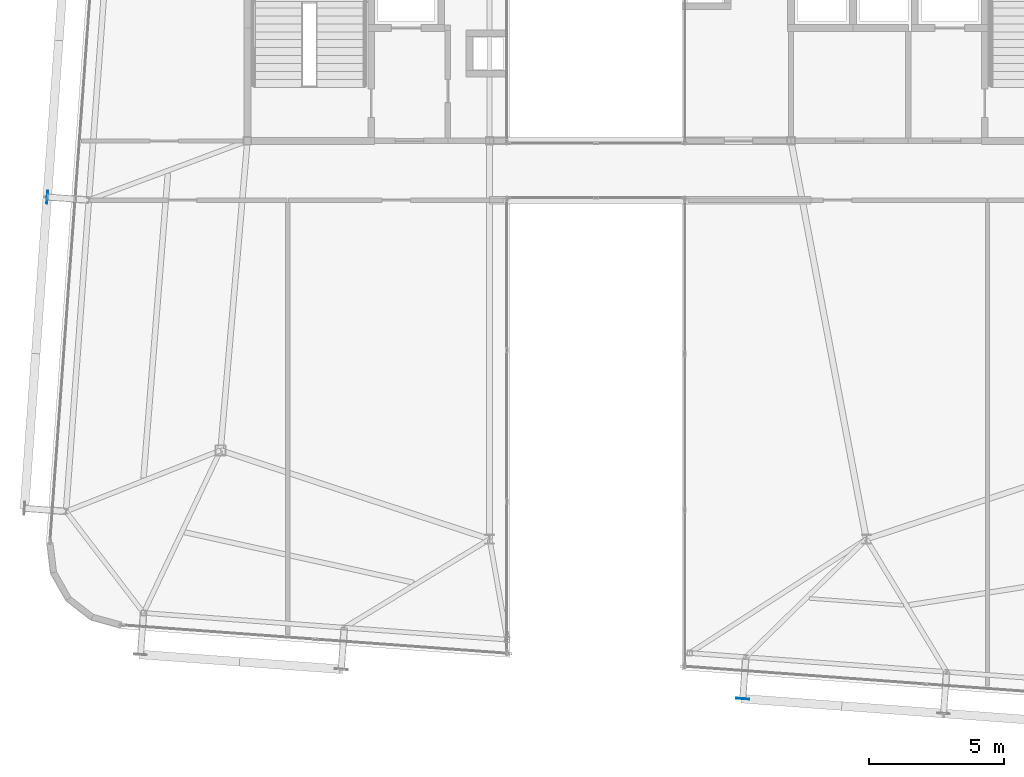
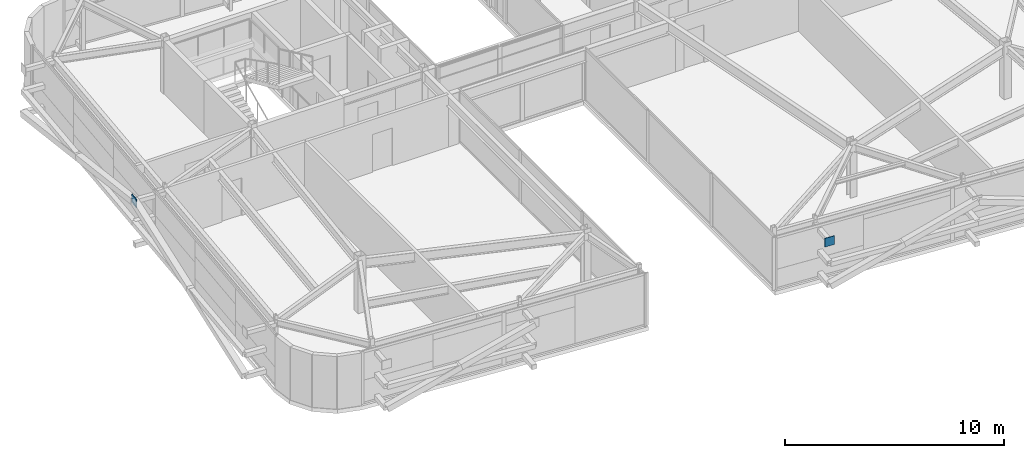
# One storey, part 30 of 39: 2 plates.
"""IFC4 building model written with IfcOpenShell, lengths in metres."""

from ifc_helpers import new_model, si_unit, direction, frame, origin, origin_2d, place, context, subcontext, project, spatial, rectangle, extrude, source, transform, mapped, material, layer, layer_set, type_object, element, save


model = new_model("IFC4")

# Units and contexts
model_context = context("Model", 3, precision=1e-05, world=origin(), true_north=direction((0.0, 1.0)))
body_context = subcontext(model_context, "Body", "Model", "MODEL_VIEW")
ifc_project = project(units=[si_unit("LENGTHUNIT", "METRE"), si_unit("AREAUNIT", "SQUARE_METRE"), si_unit("VOLUMEUNIT", "CUBIC_METRE"), si_unit("PLANEANGLEUNIT", "RADIAN"), si_unit("MASSUNIT", "GRAM", prefix="KILO")], contexts=[model_context])

# Site, building, storey
site_placement = place(None, origin())
site = spatial("IfcSite", under=ifc_project, at=site_placement, CompositionType="ELEMENT")
building_placement = place(site_placement, origin())
building = spatial("IfcBuilding", under=site, at=building_placement, Name="Taldren Reach Tower", CompositionType="ELEMENT")
storey_placement = place(building_placement, frame((0.0, 0.0, 230.300048828125)))
storey = spatial("IfcBuildingStorey", under=building, at=storey_placement, Name="L70", CompositionType="ELEMENT", Elevation=230.300048828125)

# Plates
ifc_material = material(Name="Steel Gr 450 (C450L0)", Category="steel")
ifc_layer = layer(ifc_material, 0.031982421875)
ifc_layer_set = layer_set([ifc_layer], Name="Steel Gr 450 (C450L0)")
plate_type = type_object("IfcPlateType", Name="PL-GUSSET-32", PredefinedType="SHEET", material=ifc_layer_set)
shared_shape = source(origin(), body_context, "Body", "SweptSolid", [
    extrude(rectangle(XDim=0.47998046875, YDim=0.031982421875, at=origin_2d()), origin(), (0.0, 0.0, 1.0), 0.47998046875),
])
for number, where, z_axis, x_axis, name in (
    (1, (37.406982421875, 3.27099609375, 2.409912109375), (0.0, 0.0, 1.0), (0.997314477224, -0.073238197128, 0.0), "Exoskeleton star-node gusset plate B5-S4 L70"),
    (2, (11.562744140625, 21.913818359375, 2.409912109375), (0.0, 0.0, 1.0), (0.073238197128, 0.997314477224, 0.0), "Exoskeleton star-node gusset plate B5-W2 L70"),
):
    element("IfcPlate", number, at=place(storey_placement, frame(where, z_axis=z_axis, x_axis=x_axis)), inside=storey, type_object=plate_type, Name=name, PredefinedType="SHEET", context=body_context, shape_type="MappedRepresentation", body=[
        mapped(shared_shape, transform((0.0, 0.0, 0.0), scale=1.0)),
    ])

save(model, "model.ifc")
